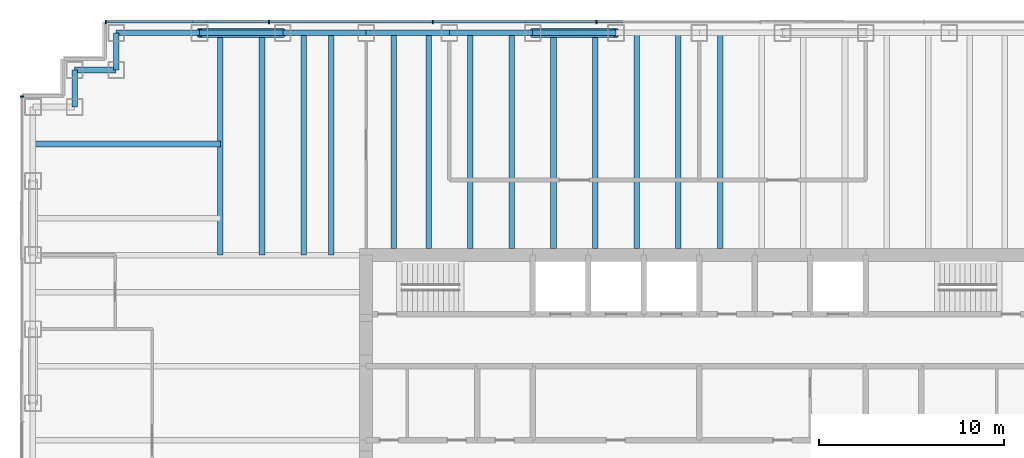
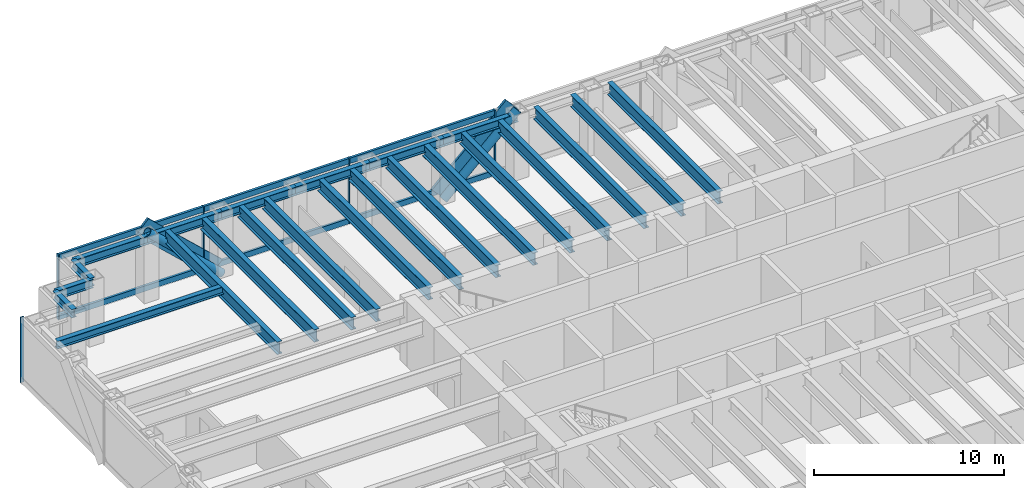
# One storey, part 6 of 15: 23 beams, 15 members, 2 elements without a shape of their own.
"""IFC4 building model written with IfcOpenShell, lengths in metres."""

import ifcopenshell
import ifcopenshell.guid

model = None  # the IFC model being written
_history = None  # IfcOwnerHistory: only IFC2X3 demands one
_inside = {}  # id of a spatial element -> (the spatial element, [elements in it])
_under = {}  # id of a project, library or spatial element -> (it, [spatial elements below it])
_declared = {}  # id of a project -> (the project, [libraries it declares])
_typed = {}  # id of a type object -> (the type object, [elements of that type])
_made_of = {}  # id of a material, layer set ... -> (it, [elements and type objects made of it])


def new_model(schema):
    """Start an empty IFC model of exactly this schema.

    Asked for "IFC4X3", IfcOpenShell would pick the latest addendum, in which some entities
    have other attributes; the version numbers below select the first issue.
    IFC2X3 requires an IfcOwnerHistory on every rooted entity: one is made here for all.
    """
    global model, _history
    if schema == "IFC4X3":
        model = ifcopenshell.file(schema_version=(4, 3, 0, 0))
    else:
        model = ifcopenshell.file(schema=schema)
    _inside.clear()
    _under.clear()
    _declared.clear()
    _typed.clear()
    _made_of.clear()
    _history = None
    if model.schema == "IFC2X3":
        org = make("IfcOrganization", Name="unknown")
        user = make(
            "IfcPersonAndOrganization",
            ThePerson=make("IfcPerson", FamilyName="unknown"),
            TheOrganization=org,
        )
        app = make(
            "IfcApplication",
            ApplicationDeveloper=org,
            Version="unknown",
            ApplicationFullName="unknown",
            ApplicationIdentifier="unknown",
        )
        _history = make(
            "IfcOwnerHistory",
            OwningUser=user,
            OwningApplication=app,
            ChangeAction="ADDED",
            CreationDate=0,
        )
    return model


def make(cls, **values):
    """One entity of the class cls with the attributes given. An attribute that is None is left unset."""
    return model.create_entity(
        cls, **{name: value for name, value in values.items() if value is not None}
    )


def rooted(cls, **values):
    """An entity with a GlobalId (a new one), such as an element, a storey or a relation."""
    return make(cls, GlobalId=ifcopenshell.guid.new(), OwnerHistory=_history, **values)


def si_unit(unit_type, name, prefix=None):
    """IfcSIUnit, for example si_unit("LENGTHUNIT", "METRE", prefix="MILLI")."""
    return make("IfcSIUnit", UnitType=unit_type, Prefix=prefix, Name=name)


def assignment(units):
    """IfcUnitAssignment: the units of a project."""
    return None if units is None else make("IfcUnitAssignment", Units=units)


def point(xyz):
    """IfcCartesianPoint."""
    return None if xyz is None else make("IfcCartesianPoint", Coordinates=xyz)


def direction(xyz):
    """IfcDirection."""
    return None if xyz is None else make("IfcDirection", DirectionRatios=xyz)


def frame(location, z_axis=None, x_axis=None):
    """IfcAxis2Placement3D, a coordinate frame: its origin and axes. An axis left out is left unset."""
    return make(
        "IfcAxis2Placement3D",
        Location=point(location),
        Axis=direction(z_axis),
        RefDirection=direction(x_axis),
    )


def frame_2d(location, x_axis=None):
    """IfcAxis2Placement2D, a coordinate frame in the plane: its origin and x axis."""
    return make(
        "IfcAxis2Placement2D", Location=point(location), RefDirection=direction(x_axis)
    )


def origin():
    """The frame at (0, 0, 0) with its axes left unset."""
    return frame((0.0, 0.0, 0.0))


def origin_2d():
    """The frame at (0, 0) in the plane with its x axis left unset."""
    return frame_2d((0.0, 0.0))


def place(relative_to, where):
    """IfcLocalPlacement: puts the frame where relative to a parent placement (None: the world)."""
    return make(
        "IfcLocalPlacement", PlacementRelTo=relative_to, RelativePlacement=where
    )


def context(
    kind, dimensions, precision=None, world=None, true_north=None, identifier=None
):
    """IfcGeometricRepresentationContext, for example the 3D "Model" context."""
    return make(
        "IfcGeometricRepresentationContext",
        ContextIdentifier=identifier,
        ContextType=kind,
        CoordinateSpaceDimension=dimensions,
        Precision=precision,
        WorldCoordinateSystem=world,
        TrueNorth=true_north,
    )


def subcontext(parent, identifier, kind, view, scale=None):
    """IfcGeometricRepresentationSubContext, for example "Body" below "Model"."""
    return make(
        "IfcGeometricRepresentationSubContext",
        ContextIdentifier=identifier,
        ContextType=kind,
        ParentContext=parent,
        TargetScale=scale,
        TargetView=view,
    )


def project(units=None, contexts=None):
    """IfcProject with its units and contexts."""
    return rooted(
        "IfcProject",
        Name="project",
        RepresentationContexts=contexts,
        UnitsInContext=assignment(units),
    )


def spatial(cls, under=None, at=None, **own):
    """A site, building, storey or space (cls), placed at a placement, below another one or the project."""
    s = rooted(cls, ObjectPlacement=at, **own)
    if under is not None:
        _under.setdefault(under.id(), (under, []))[1].append(s)
    return s


def profile(cls, at=None, kind="AREA", **sizes):
    """A parametric profile (cls). Its sizes go by their IFC names, for example OverallWidth=200.0."""
    return make(cls, ProfileType=kind, Position=at, **sizes)


def rectangle(**sizes):
    """IfcRectangleProfileDef."""
    return profile("IfcRectangleProfileDef", **sizes)


def hollow_circle(**sizes):
    """IfcCircleHollowProfileDef."""
    return profile("IfcCircleHollowProfileDef", **sizes)


def i_section(**sizes):
    """IfcIShapeProfileDef."""
    return profile("IfcIShapeProfileDef", **sizes)


def extrude(swept, where, along, depth):
    """IfcExtrudedAreaSolid: the profile swept, set in the frame where, extruded along a direction by depth."""
    return make(
        "IfcExtrudedAreaSolid",
        SweptArea=swept,
        Position=where,
        ExtrudedDirection=direction(along),
        Depth=depth,
    )


def shape(context_of_items, identifier, shape_type, items):
    """IfcShapeRepresentation: the items that make up one representation, for example the "Body"."""
    return make(
        "IfcShapeRepresentation",
        ContextOfItems=context_of_items,
        RepresentationIdentifier=identifier,
        RepresentationType=shape_type,
        Items=items,
    )


def material(Name=None, Category=None):
    """IfcMaterial."""
    return make("IfcMaterial", Name=Name, Category=Category)


def material_profile(
    of_material, cross_section, Name=None, Category=None, Priority=None
):
    """IfcMaterialProfile: a cross section and its material."""
    return make(
        "IfcMaterialProfile",
        Name=Name,
        Material=of_material,
        Profile=cross_section,
        Priority=Priority,
        Category=Category,
    )


def profile_set(profiles, Name=None, composite=None):
    """IfcMaterialProfileSet."""
    return make(
        "IfcMaterialProfileSet",
        Name=Name,
        MaterialProfiles=profiles,
        CompositeProfile=composite,
    )


def made_of(thing, what):
    """Note that an element or type object is made of a material, layer set ...; save() writes the relation."""
    if what is not None:
        _made_of.setdefault(what.id(), (what, []))[1].append(thing)
    return thing


def type_object(cls, material=None, **own):
    """A type object (cls), such as IfcWallType, which elements share."""
    return made_of(rooted(cls, **own), material)


def element(
    cls,
    number,
    at=None,
    inside=None,
    cuts=None,
    type_object=None,
    material=None,
    context=None,
    identifier="Body",
    shape_type=None,
    held_by="IfcProductDefinitionShape",
    body=None,
    shapes=None,
    **own,
):
    """One element of the class cls, such as IfcWall. Its Tag is "e" and its number.

    at: its placement. inside: the storey or other place that contains it. cuts: it is an
    opening in that element (IfcRelVoidsElement). A single representation is given by context,
    identifier, shape_type and body (its items); several are given by shapes. held_by: the class
    of the entity that holds the representations. save() writes the other relations.
    """
    e = rooted(cls, Tag="e%d" % number, ObjectPlacement=at, **own)
    if body is not None:
        shapes = [shape(context, identifier, shape_type, body)]
    if shapes is not None:
        e.Representation = make(held_by, Representations=shapes)
    if inside is not None:
        _inside.setdefault(inside.id(), (inside, []))[1].append(e)
    if cuts is not None:
        rooted(
            "IfcRelVoidsElement", RelatingBuildingElement=cuts, RelatedOpeningElement=e
        )
    if type_object is not None:
        _typed.setdefault(type_object.id(), (type_object, []))[1].append(e)
    return made_of(e, material)


def aggregate(whole, parts):
    """IfcRelAggregates: a whole, such as a stair, and the parts it consists of."""
    return rooted("IfcRelAggregates", RelatingObject=whole, RelatedObjects=parts)


def save(model, path):
    """Write the relations noted so far, then the file.

    IfcRelAggregates (storeys below a building ...), IfcRelContainedInSpatialStructure (elements
    in a storey), IfcRelDefinesByType, IfcRelAssociatesMaterial and IfcRelDeclares: one each for
    every whole, place, type object, material and project.
    """
    for whole, parts in _under.values():
        aggregate(whole, parts)
    for where, things in _inside.values():
        rooted(
            "IfcRelContainedInSpatialStructure",
            RelatedElements=things,
            RelatingStructure=where,
        )
    for kind, things in _typed.values():
        rooted("IfcRelDefinesByType", RelatedObjects=things, RelatingType=kind)
    for what, things in _made_of.values():
        rooted("IfcRelAssociatesMaterial", RelatedObjects=things, RelatingMaterial=what)
    for by, libraries in _declared.values():
        rooted("IfcRelDeclares", RelatingContext=by, RelatedDefinitions=libraries)
    model.write(path)


model = new_model("IFC4")

# Units and contexts
model_context = context("Model", 3, precision=1e-05, world=origin(), true_north=direction((0.0, 1.0)))
body_context = subcontext(model_context, "Body", "Model", "MODEL_VIEW")
ifc_project = project(units=[si_unit("LENGTHUNIT", "METRE"), si_unit("AREAUNIT", "SQUARE_METRE"), si_unit("VOLUMEUNIT", "CUBIC_METRE"), si_unit("PLANEANGLEUNIT", "RADIAN"), si_unit("MASSUNIT", "GRAM", prefix="KILO")], contexts=[model_context])

# Site, building, storey
site_placement = place(None, origin())
site = spatial("IfcSite", under=ifc_project, at=site_placement, CompositionType="ELEMENT")
building_placement = place(site_placement, origin())
building = spatial("IfcBuilding", under=site, at=building_placement, Name="Rheinbord Bourse Tower", CompositionType="ELEMENT")
storey_placement = place(building_placement, frame((0.0, 0.0, 325.699951171875)))
storey = spatial("IfcBuildingStorey", under=building, at=storey_placement, Name="L74", CompositionType="ELEMENT", Elevation=325.699951171875)

# Curtain wall, members
ifc_material_1 = material(Name="Dark glass and black aluminium", Category="aluminium")
curtain_wall_type = type_object("IfcCurtainWallType", Name="CW3 DARK GLASS CURTAIN WALL", PredefinedType="USERDEFINED", material=ifc_material_1)
curtain_wall_1_placement = place(storey_placement, origin())
curtain_wall_1 = element("IfcCurtainWall", 1, at=curtain_wall_1_placement, inside=storey, type_object=curtain_wall_type, Name="Curtain wall CW3 N L74", ObjectType="UNITISED CURTAIN WALL", PredefinedType="USERDEFINED")
ifc_material_2 = material(Name="Black anodised aluminium", Category="aluminium")
ifc_material_profile_1 = material_profile(ifc_material_2, rectangle(XDim=0.14990234375, YDim=1.10791015625, at=origin_2d()), Name="CW3 DIAGONAL MULLION 1108x150")
ifc_profile_set_1 = profile_set([ifc_material_profile_1], Name="Black anodised aluminium")
member_type_1 = type_object("IfcMemberType", Name="CW3 BLACK DIAGONAL MULLION", PredefinedType="USERDEFINED", material=ifc_profile_set_1)
member_1_placement = place(storey_placement, frame((27.0, 44.60009765625, 0.0), z_axis=(0.73105922506, 0.0, 0.682314010889), x_axis=(0.0, 1.0, 0.0)))
member_1 = element("IfcMember", 2, at=member_1_placement, type_object=member_type_1, Name="CW3 diagonal mullion b", ObjectType="DIAGONAL MULLION", PredefinedType="USERDEFINED", context=body_context, shape_type="SweptSolid", body=[
    extrude(rectangle(XDim=0.14990234375, YDim=1.10791015625, at=origin_2d()), origin(), (0.0, 0.0, 1.0), 6.155517578125),
])
member_2_placement = place(storey_placement, frame((13.5, 44.60009765625, 0.0), z_axis=(-0.73105922506, 0.0, 0.682314010889), x_axis=(0.0, -1.0, 0.0)))
member_2 = element("IfcMember", 3, at=member_2_placement, type_object=member_type_1, Name="CW3 diagonal mullion c", ObjectType="DIAGONAL MULLION", PredefinedType="USERDEFINED", context=body_context, shape_type="SweptSolid", body=[
    extrude(rectangle(XDim=0.14990234375, YDim=1.10791015625, at=origin_2d()), origin(), (0.0, 0.0, 1.0), 6.155517578125),
])
ifc_material_3 = material(Name="Black anodised aluminium", Category="aluminium")
ifc_material_profile_2 = material_profile(ifc_material_3, rectangle(XDim=0.199951171875, YDim=0.06494140625, at=origin_2d()), Name="CW3 MULLION 65x200")
ifc_profile_set_2 = profile_set([ifc_material_profile_2], Name="Black anodised aluminium")
member_type_2 = type_object("IfcMemberType", Name="CW3 BLACK MULLION", PredefinedType="MULLION", material=ifc_profile_set_2)
member_3_placement = place(storey_placement, frame((30.449951171875, 44.60009765625, 0.0), z_axis=(0.0, 0.0, 1.0), x_axis=(0.0, -1.0, 0.0)))
member_3 = element("IfcMember", 4, at=member_3_placement, type_object=member_type_2, Name="CW3 mullion 5", PredefinedType="MULLION", context=body_context, shape_type="SweptSolid", body=[
    extrude(rectangle(XDim=0.199951171875, YDim=0.06494140625, at=origin_2d()), origin(), (0.0, 0.0, 1.0), 4.199951171875),
])
member_4_placement = place(storey_placement, frame((21.60009765625, 44.60009765625, 0.0), z_axis=(0.0, 0.0, 1.0), x_axis=(0.0, -1.0, 0.0)))
member_4 = element("IfcMember", 5, at=member_4_placement, type_object=member_type_2, Name="CW3 mullion 6", PredefinedType="MULLION", context=body_context, shape_type="SweptSolid", body=[
    extrude(rectangle(XDim=0.199951171875, YDim=0.06494140625, at=origin_2d()), origin(), (0.0, 0.0, 1.0), 4.199951171875),
])
member_5_placement = place(storey_placement, frame((12.75, 44.60009765625, 0.0), z_axis=(0.0, 0.0, 1.0), x_axis=(0.0, -1.0, 0.0)))
member_5 = element("IfcMember", 6, at=member_5_placement, type_object=member_type_2, Name="CW3 mullion 7", PredefinedType="MULLION", context=body_context, shape_type="SweptSolid", body=[
    extrude(rectangle(XDim=0.199951171875, YDim=0.06494140625, at=origin_2d()), origin(), (0.0, 0.0, 1.0), 4.199951171875),
])
member_6_placement = place(storey_placement, frame((3.9326171875, 44.60009765625, 0.0), z_axis=(0.0, 0.0, 1.0), x_axis=(0.0, -1.0, 0.0)))
member_6 = element("IfcMember", 7, at=member_6_placement, type_object=member_type_2, Name="CW3 mullion 8", PredefinedType="MULLION", context=body_context, shape_type="SweptSolid", body=[
    extrude(rectangle(XDim=0.199951171875, YDim=0.06494140625, at=origin_2d()), origin(), (0.0, 0.0, 1.0), 4.199951171875),
])

# Curtain wall, member
curtain_wall_2_placement = place(storey_placement, origin())
curtain_wall_2 = element("IfcCurtainWall", 8, at=curtain_wall_2_placement, inside=storey, type_object=curtain_wall_type, Name="Curtain wall CW3 W L74", ObjectType="UNITISED CURTAIN WALL", PredefinedType="USERDEFINED")
member_7_placement = place(storey_placement, frame((-0.60009765625, 40.5673828125, 0.0), z_axis=(0.0, 0.0, 1.0), x_axis=(1.0, 0.0, 0.0)))
member_7 = element("IfcMember", 9, at=member_7_placement, type_object=member_type_2, Name="CW3 mullion 1", PredefinedType="MULLION", context=body_context, shape_type="SweptSolid", body=[
    extrude(rectangle(XDim=0.199951171875, YDim=0.06494140625, at=origin_2d()), origin(), (0.0, 0.0, 1.0), 4.199951171875),
])
aggregate(curtain_wall_2, [member_7])

# Member
ifc_material_4 = material(Name="Black anodised aluminium", Category="aluminium")
ifc_material_profile_3 = material_profile(ifc_material_4, rectangle(XDim=0.14990234375, YDim=0.35009765625, at=origin_2d()), Name="CW3 TRANSOM 350x150")
ifc_profile_set_3 = profile_set([ifc_material_profile_3], Name="Black anodised aluminium")
member_type_3 = type_object("IfcMemberType", Name="CW3 BLACK TRANSOM", PredefinedType="USERDEFINED", material=ifc_profile_set_3)
member_8_placement = place(storey_placement, frame((30.41748046875, 44.60009765625, 0.175048828125), z_axis=(-1.0, 0.0, 0.0), x_axis=(0.0, -1.0, 0.0)))
member_8 = element("IfcMember", 10, at=member_8_placement, type_object=member_type_3, Name="CW3 transom 5.1", ObjectType="TRANSOM", PredefinedType="USERDEFINED", context=body_context, shape_type="SweptSolid", body=[
    extrude(rectangle(XDim=0.14990234375, YDim=0.35009765625, at=origin_2d()), origin(), (0.0, 0.0, 1.0), 8.784912109375),
])

member_9_placement = place(storey_placement, frame((30.41748046875, 44.60009765625, 4.025146484375), z_axis=(-1.0, 0.0, 0.0), x_axis=(0.0, -1.0, 0.0)))
member_9 = element("IfcMember", 11, at=member_9_placement, type_object=member_type_3, Name="CW3 transom 5.2", ObjectType="TRANSOM", PredefinedType="USERDEFINED", context=body_context, shape_type="SweptSolid", body=[
    extrude(rectangle(XDim=0.14990234375, YDim=0.35009765625, at=origin_2d()), origin(), (0.0, 0.0, 1.0), 8.784912109375),
])

member_10_placement = place(storey_placement, frame((21.5673828125, 44.60009765625, 0.175048828125), z_axis=(-1.0, 0.0, 0.0), x_axis=(0.0, -1.0, 0.0)))
member_10 = element("IfcMember", 12, at=member_10_placement, type_object=member_type_3, Name="CW3 transom 6.1", ObjectType="TRANSOM", PredefinedType="USERDEFINED", context=body_context, shape_type="SweptSolid", body=[
    extrude(rectangle(XDim=0.14990234375, YDim=0.35009765625, at=origin_2d()), origin(), (0.0, 0.0, 1.0), 8.784912109375),
])

member_11_placement = place(storey_placement, frame((21.5673828125, 44.60009765625, 4.025146484375), z_axis=(-1.0, 0.0, 0.0), x_axis=(0.0, -1.0, 0.0)))
member_11 = element("IfcMember", 13, at=member_11_placement, type_object=member_type_3, Name="CW3 transom 6.2", ObjectType="TRANSOM", PredefinedType="USERDEFINED", context=body_context, shape_type="SweptSolid", body=[
    extrude(rectangle(XDim=0.14990234375, YDim=0.35009765625, at=origin_2d()), origin(), (0.0, 0.0, 1.0), 8.784912109375),
])

member_12_placement = place(storey_placement, frame((12.717529296875, 44.60009765625, 0.175048828125), z_axis=(-1.0, 0.0, 0.0), x_axis=(0.0, -1.0, 0.0)))
member_12 = element("IfcMember", 14, at=member_12_placement, type_object=member_type_3, Name="CW3 transom 7.1", ObjectType="TRANSOM", PredefinedType="USERDEFINED", context=body_context, shape_type="SweptSolid", body=[
    extrude(rectangle(XDim=0.14990234375, YDim=0.35009765625, at=origin_2d()), origin(), (0.0, 0.0, 1.0), 8.75244140625),
])

member_13_placement = place(storey_placement, frame((12.717529296875, 44.60009765625, 4.025146484375), z_axis=(-1.0, 0.0, 0.0), x_axis=(0.0, -1.0, 0.0)))
member_13 = element("IfcMember", 15, at=member_13_placement, type_object=member_type_3, Name="CW3 transom 7.2", ObjectType="TRANSOM", PredefinedType="USERDEFINED", context=body_context, shape_type="SweptSolid", body=[
    extrude(rectangle(XDim=0.14990234375, YDim=0.35009765625, at=origin_2d()), origin(), (0.0, 0.0, 1.0), 8.75244140625),
])

aggregate(curtain_wall_1, [member_3, member_4, member_5, member_6, member_8, member_9, member_10, member_11, member_12, member_13, member_1, member_2])

# Beams
ifc_material_5 = material(Name="Steel S460", Category="steel")
ifc_material_profile_4 = material_profile(ifc_material_5, i_section(OverallWidth=0.300048828125, OverallDepth=0.800048828125, WebThickness=0.017578125, FlangeThickness=0.032958984375, at=origin_2d()), Name="HEB 800")
ifc_profile_set_4 = profile_set([ifc_material_profile_4], Name="Steel S460")
beam_type_1 = type_object("IfcBeamType", Name="FLOOR BEAM HEB 800", PredefinedType="BEAM", material=ifc_profile_set_4)
for number, where, z_axis, x_axis, name in (
    (16, (10.125, 44.0, 3.64013671875), (0.0, -1.0, 0.0), (1.0, 0.0, 0.0), "Floor beam N-9a L75"),
    (17, (12.375, 44.0, 3.64013671875), (0.0, -1.0, 0.0), (1.0, 0.0, 0.0), "Floor beam N-9b L75"),
    (18, (14.625, 44.0, 3.64013671875), (0.0, -1.0, 0.0), (1.0, 0.0, 0.0), "Floor beam N-13.5a L75"),
    (19, (16.125, 44.0, 3.64013671875), (0.0, -1.0, 0.0), (1.0, 0.0, 0.0), "Floor beam N-13.5b L75"),
):
    element("IfcBeam", number, at=place(storey_placement, frame(where, z_axis=z_axis, x_axis=x_axis)), inside=storey, type_object=beam_type_1, Name=name, PredefinedType="BEAM", context=body_context, shape_type="SweptSolid", body=[
        extrude(i_section(OverallWidth=0.300048828125, OverallDepth=0.800048828125, WebThickness=0.017578125, FlangeThickness=0.032958984375, at=origin_2d()), origin(), (0.0, 0.0, 1.0), 12.0),
    ])
for number, where, z_axis, x_axis, name in (
    (20, (19.5, 44.0, 3.64013671875), (0.0, -1.0, 0.0), (1.0, 0.0, 0.0), "Floor beam N-18a L75"),
    (21, (21.375, 44.0, 3.64013671875), (0.0, -1.0, 0.0), (1.0, 0.0, 0.0), "Floor beam N-18b L75"),
    (22, (23.625, 44.0, 3.64013671875), (0.0, -1.0, 0.0), (1.0, 0.0, 0.0), "Floor beam N-22.5a L75"),
    (23, (25.875, 44.0, 3.64013671875), (0.0, -1.0, 0.0), (1.0, 0.0, 0.0), "Floor beam N-22.5b L75"),
    (24, (28.125, 44.0, 3.64013671875), (0.0, -1.0, 0.0), (1.0, 0.0, 0.0), "Floor beam N-27a L75"),
    (25, (30.375, 44.0, 3.64013671875), (0.0, -1.0, 0.0), (1.0, 0.0, 0.0), "Floor beam N-27b L75"),
    (26, (32.625, 44.0, 3.64013671875), (0.0, -1.0, 0.0), (1.0, 0.0, 0.0), "Floor beam N-31.5a L75"),
    (27, (34.875, 44.0, 3.64013671875), (0.0, -1.0, 0.0), (1.0, 0.0, 0.0), "Floor beam N-31.5b L75"),
    (28, (37.125, 44.0, 3.64013671875), (0.0, -1.0, 0.0), (1.0, 0.0, 0.0), "Floor beam N-36a L75"),
):
    element("IfcBeam", number, at=place(storey_placement, frame(where, z_axis=z_axis, x_axis=x_axis)), inside=storey, type_object=beam_type_1, Name=name, PredefinedType="BEAM", context=body_context, shape_type="SweptSolid", body=[
        extrude(i_section(OverallWidth=0.300048828125, OverallDepth=0.800048828125, WebThickness=0.017578125, FlangeThickness=0.032958984375, at=origin_2d()), origin(), (0.0, 0.0, 1.0), 11.64990234375),
    ])

# Members
ifc_material_6 = material(Name="Steel S460", Category="steel")
ifc_material_profile_5 = material_profile(ifc_material_6, hollow_circle(Radius=0.25390625, WallThickness=0.030029296875, at=origin_2d()), Name="CHS 508x30")
ifc_profile_set_5 = profile_set([ifc_material_profile_5], Name="Steel S460")
member_type_4 = type_object("IfcMemberType", Name="MEGABRACE CHS 508x30", PredefinedType="BRACE", material=ifc_profile_set_5)
for number, where, z_axis, x_axis, name in (
    (29, (27.0, 44.0, 0.0), (0.73105922506, 0.0, 0.682314010889), (0.0, 1.0, 0.0), "Megabrace N face line b L74"),
    (30, (13.5, 44.0, 0.0), (-0.73105922506, 0.0, 0.682314010889), (0.0, -1.0, 0.0), "Megabrace N face line c L74"),
):
    element("IfcMember", number, at=place(storey_placement, frame(where, z_axis=z_axis, x_axis=x_axis)), inside=storey, type_object=member_type_4, Name=name, PredefinedType="BRACE", context=body_context, shape_type="SweptSolid", body=[
        extrude(hollow_circle(Radius=0.25390625, WallThickness=0.030029296875, at=origin_2d()), origin(), (0.0, 0.0, 1.0), 6.155517578125),
    ])

# Beams
ifc_material_7 = material(Name="Steel S460", Category="steel")
ifc_material_profile_6 = material_profile(ifc_material_7, i_section(OverallWidth=0.300048828125, OverallDepth=0.550048828125, WebThickness=0.014892578125, FlangeThickness=0.029052734375, at=origin_2d()), Name="HEB 550")
ifc_profile_set_6 = profile_set([ifc_material_profile_6], Name="Steel S460")
beam_type_2 = type_object("IfcBeamType", Name="SPANDREL HEB 550", PredefinedType="SPANDREL", material=ifc_profile_set_6)
for number, where, z_axis, x_axis, name in (
    (31, (31.5, 44.0, 3.76513671875), (-1.0, 0.0, 0.0), (0.0, -1.0, 0.0), "Spandrel N-31.5-N-27 under L75"),
    (32, (27.0, 44.0, 3.76513671875), (-1.0, 0.0, 0.0), (0.0, -1.0, 0.0), "Spandrel N-27-N-22.5 under L75"),
    (33, (22.5, 44.0, 3.76513671875), (-1.0, 0.0, 0.0), (0.0, -1.0, 0.0), "Spandrel N-22.5-N-18 under L75"),
    (34, (18.0, 44.0, 3.76513671875), (-1.0, 0.0, 0.0), (0.0, -1.0, 0.0), "Spandrel N-18-N-13.5 under L75"),
    (35, (13.5, 44.0, 3.76513671875), (-1.0, 0.0, 0.0), (0.0, -1.0, 0.0), "Spandrel N-13.5-N-9 under L75"),
    (36, (9.0, 44.0, 3.76513671875), (-1.0, 0.0, 0.0), (0.0, -1.0, 0.0), "Spandrel N-9-NW-E under L75"),
):
    element("IfcBeam", number, at=place(storey_placement, frame(where, z_axis=z_axis, x_axis=x_axis)), inside=storey, type_object=beam_type_2, Name=name, PredefinedType="SPANDREL", context=body_context, shape_type="SweptSolid", body=[
        extrude(i_section(OverallWidth=0.300048828125, OverallDepth=0.550048828125, WebThickness=0.014892578125, FlangeThickness=0.029052734375, at=origin_2d()), origin(), (0.0, 0.0, 1.0), 4.5),
    ])
beam_1_placement = place(storey_placement, frame((4.5, 44.0, 3.76513671875), z_axis=(0.0, -1.0, 0.0), x_axis=(1.0, 0.0, 0.0)))
element("IfcBeam", 37, at=beam_1_placement, inside=storey, type_object=beam_type_2, Name="Spandrel NW-E-NW-D under L75", PredefinedType="SPANDREL", context=body_context, shape_type="SweptSolid", body=[
    extrude(i_section(OverallWidth=0.300048828125, OverallDepth=0.550048828125, WebThickness=0.014892578125, FlangeThickness=0.029052734375, at=origin_2d()), origin(), (0.0, 0.0, 1.0), 2.0),
])
beam_2_placement = place(storey_placement, frame((4.5, 42.0, 3.76513671875), z_axis=(-1.0, 0.0, 0.0), x_axis=(0.0, -1.0, 0.0)))
element("IfcBeam", 38, at=beam_2_placement, inside=storey, type_object=beam_type_2, Name="Spandrel NW-D-NW-C under L75", PredefinedType="SPANDREL", context=body_context, shape_type="SweptSolid", body=[
    extrude(i_section(OverallWidth=0.300048828125, OverallDepth=0.550048828125, WebThickness=0.014892578125, FlangeThickness=0.029052734375, at=origin_2d()), origin(), (0.0, 0.0, 1.0), 2.25),
])
beam_3_placement = place(storey_placement, frame((2.25, 42.0, 3.76513671875), z_axis=(0.0, -1.0, 0.0), x_axis=(1.0, 0.0, 0.0)))
element("IfcBeam", 39, at=beam_3_placement, inside=storey, type_object=beam_type_2, Name="Spandrel NW-C-NW-B under L75", PredefinedType="SPANDREL", context=body_context, shape_type="SweptSolid", body=[
    extrude(i_section(OverallWidth=0.300048828125, OverallDepth=0.550048828125, WebThickness=0.014892578125, FlangeThickness=0.029052734375, at=origin_2d()), origin(), (0.0, 0.0, 1.0), 2.0),
])
ifc_material_8 = material(Name="Steel S460", Category="steel")
ifc_material_profile_7 = material_profile(ifc_material_8, i_section(OverallWidth=0.300048828125, OverallDepth=0.5, WebThickness=0.014404296875, FlangeThickness=0.028076171875, at=origin_2d()), Name="HEB 500")
ifc_profile_set_7 = profile_set([ifc_material_profile_7], Name="Steel S460")
beam_type_3 = type_object("IfcBeamType", Name="TIE BEAM HEB 500", PredefinedType="JOIST", material=ifc_profile_set_7)
beam_4_placement = place(storey_placement, frame((0.0, 38.0, 3.7900390625), z_axis=(1.0, 0.0, 0.0), x_axis=(0.0, 1.0, 0.0)))
element("IfcBeam", 40, at=beam_4_placement, inside=storey, type_object=beam_type_3, Name="Tie west 38 L75", PredefinedType="JOIST", context=body_context, shape_type="SweptSolid", body=[
    extrude(i_section(OverallWidth=0.300048828125, OverallDepth=0.5, WebThickness=0.014404296875, FlangeThickness=0.028076171875, at=origin_2d()), origin(), (0.0, 0.0, 1.0), 10.125),
])

save(model, "model.ifc")
